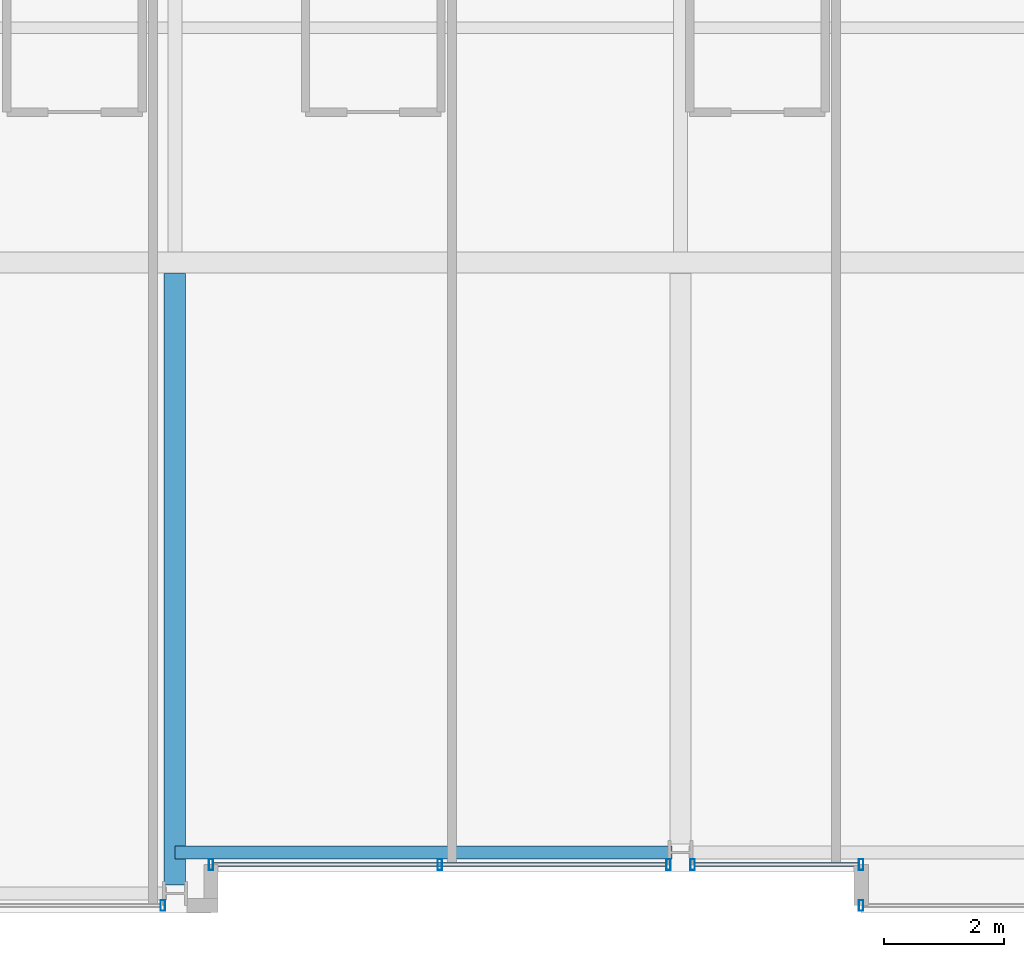
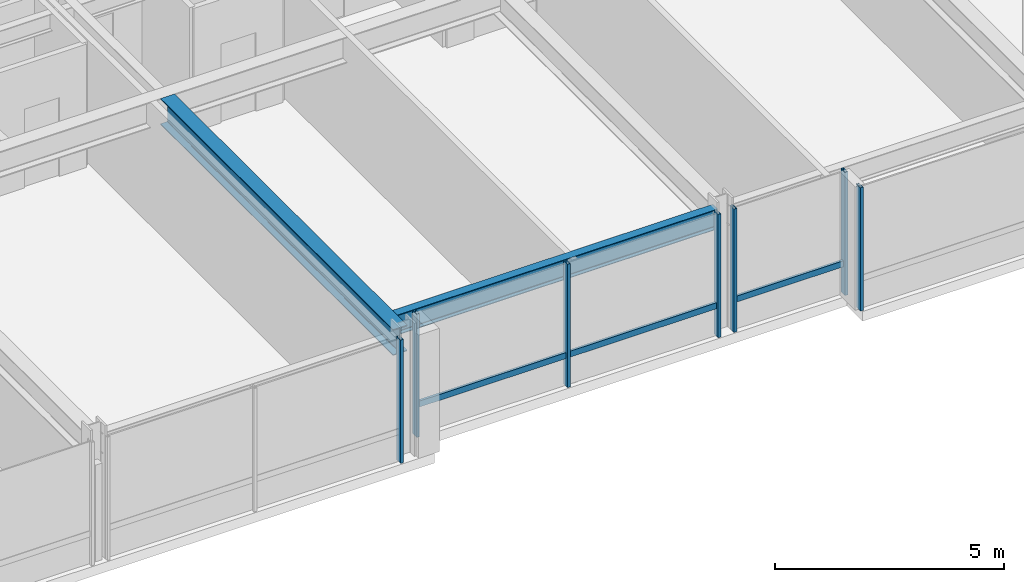
# One storey, part 5 of 33: 9 members, 2 beams, 4 elements without a shape of their own.
"""IFC4 building model written with IfcOpenShell, lengths in metres."""

from ifc_helpers import new_model, si_unit, direction, frame, origin, origin_2d, place, context, subcontext, project, spatial, hollow_rectangle, i_section, extrude, material, layer, layer_set, material_profile, profile_set, type_object, element, aggregate, save


model = new_model("IFC4")

# Units and contexts
model_context = context("Model", 3, precision=1e-05, world=origin(), true_north=direction((0.0, 1.0)))
body_context = subcontext(model_context, "Body", "Model", "MODEL_VIEW")
ifc_project = project(units=[si_unit("LENGTHUNIT", "METRE"), si_unit("AREAUNIT", "SQUARE_METRE"), si_unit("VOLUMEUNIT", "CUBIC_METRE"), si_unit("PLANEANGLEUNIT", "RADIAN"), si_unit("MASSUNIT", "GRAM", prefix="KILO")], contexts=[model_context])

# Site, building, storey
site_placement = place(None, origin())
site = spatial("IfcSite", under=ifc_project, at=site_placement, CompositionType="ELEMENT")
building_placement = place(site_placement, origin())
building = spatial("IfcBuilding", under=site, at=building_placement, Name="Drelvath Grand Hotel", CompositionType="ELEMENT")
storey_placement = place(building_placement, frame((0.0, 0.0, 171.699951171875)))
storey = spatial("IfcBuildingStorey", under=building, at=storey_placement, Name="L44", CompositionType="ELEMENT", Elevation=171.699951171875)

# Curtain wall, member
ifc_material_1 = material(Name="Brushed Pale-Silver Anodised Aluminium Frame", Category="aluminium")
ifc_layer = layer(ifc_material_1, 0.199951171875)
ifc_layer_set = layer_set([ifc_layer], Name="Brushed Pale-Silver Anodised Aluminium Frame")
curtain_wall_type = type_object("IfcCurtainWallType", Name="Stick Curtain Wall CW-04 Brushed Silver Upper-Mid", PredefinedType="NOTDEFINED", material=ifc_layer_set)
curtain_wall_1_placement = place(storey_placement, origin())
curtain_wall_1 = element("IfcCurtainWall", 1, at=curtain_wall_1_placement, inside=storey, type_object=curtain_wall_type, Name="L44 CW-04 Curtain Wall CW04-L44-SM1", PredefinedType="NOTDEFINED")
ifc_material_profile_1 = material_profile(ifc_material_1, hollow_rectangle(XDim=0.06494140625, YDim=0.159912109375, WallThickness=0.00390625, at=origin_2d()), Name="HSS160X65X4")
ifc_profile_set_1 = profile_set([ifc_material_profile_1], Name="Brushed Pale-Silver Anodised Aluminium Frame")
member_type_1 = type_object("IfcMemberType", Name="Curtain Wall Horizontal Transom CW-04 HSS160X65X4", PredefinedType="USERDEFINED", material=ifc_profile_set_1)
member_1_placement = place(storey_placement, frame((-0.239990234375, 0.800048828125, 0.822509765625), z_axis=(-1.0, 0.0, 0.0), x_axis=(0.0, -1.0, 0.0)))
member_1 = element("IfcMember", 2, at=member_1_placement, type_object=member_type_1, Name="CW04-L44-SM1 Sill Transom", ObjectType="TRANSOM", PredefinedType="USERDEFINED", context=body_context, shape_type="SweptSolid", body=[
    extrude(hollow_rectangle(XDim=0.06494140625, YDim=0.159912109375, WallThickness=0.00390625, at=origin_2d()), origin(), (0.0, 0.0, 1.0), 7.52001953125),
])

curtain_wall_2_placement = place(storey_placement, origin())
curtain_wall_2 = element("IfcCurtainWall", 3, at=curtain_wall_2_placement, inside=storey, type_object=curtain_wall_type, Name="L44 CW-04 Curtain Wall CW04-L44-SM2", PredefinedType="NOTDEFINED")
member_2_placement = place(storey_placement, frame((2.9599609375, 0.800048828125, 0.822509765625), z_axis=(-1.0, 0.0, 0.0), x_axis=(0.0, -1.0, 0.0)))
member_2 = element("IfcMember", 4, at=member_2_placement, type_object=member_type_1, Name="CW04-L44-SM2 Sill Transom", ObjectType="TRANSOM", PredefinedType="USERDEFINED", context=body_context, shape_type="SweptSolid", body=[
    extrude(hollow_rectangle(XDim=0.06494140625, YDim=0.159912109375, WallThickness=0.00390625, at=origin_2d()), origin(), (0.0, 0.0, 1.0), 2.719970703125),
])

curtain_wall_3_placement = place(storey_placement, origin())
curtain_wall_3 = element("IfcCurtainWall", 5, at=curtain_wall_3_placement, inside=storey, type_object=curtain_wall_type, Name="L44 CW-04 Curtain Wall CW04-L44-SE1", PredefinedType="NOTDEFINED")
ifc_material_profile_2 = material_profile(ifc_material_1, hollow_rectangle(XDim=0.074951171875, YDim=0.179931640625, WallThickness=0.0048828125, at=origin_2d()), Name="HSS180X75X5")
ifc_profile_set_2 = profile_set([ifc_material_profile_2], Name="Brushed Pale-Silver Anodised Aluminium Frame")
member_type_2 = type_object("IfcMemberType", Name="Curtain Wall Vertical Mullion CW-04 HSS180X75X5", PredefinedType="MULLION", material=ifc_profile_set_2)
member_3_placement = place(storey_placement, frame((3.0, 0.1201171875, 0.0), z_axis=(0.0, 0.0, 1.0), x_axis=(1.0, 0.0, 0.0)))
member_3 = element("IfcMember", 6, at=member_3_placement, type_object=member_type_2, Name="CW04-L44-SE1 Mullion 2", PredefinedType="MULLION", context=body_context, shape_type="SweptSolid", body=[
    extrude(hollow_rectangle(XDim=0.074951171875, YDim=0.179931640625, WallThickness=0.0048828125, at=origin_2d()), origin(), (0.0, 0.0, 1.0), 3.2900390625),
])
aggregate(curtain_wall_3, [member_3])

# Member
member_4_placement = place(storey_placement, frame((-0.2001953125, 0.800048828125, 0.0), z_axis=(0.0, 0.0, 1.0), x_axis=(1.0, 0.0, 0.0)))
member_4 = element("IfcMember", 7, at=member_4_placement, type_object=member_type_2, Name="CW04-L44-SM1 Mullion 1", PredefinedType="MULLION", context=body_context, shape_type="SweptSolid", body=[
    extrude(hollow_rectangle(XDim=0.074951171875, YDim=0.179931640625, WallThickness=0.0048828125, at=origin_2d()), origin(), (0.0, 0.0, 1.0), 3.2900390625),
])

member_5_placement = place(storey_placement, frame((-4.0, 0.800048828125, 0.0), z_axis=(0.0, 0.0, 1.0), x_axis=(1.0, 0.0, 0.0)))
member_5 = element("IfcMember", 8, at=member_5_placement, type_object=member_type_2, Name="CW04-L44-SM1 Mullion 2", PredefinedType="MULLION", context=body_context, shape_type="SweptSolid", body=[
    extrude(hollow_rectangle(XDim=0.074951171875, YDim=0.179931640625, WallThickness=0.0048828125, at=origin_2d()), origin(), (0.0, 0.0, 1.0), 3.2900390625),
])

member_6_placement = place(storey_placement, frame((-7.800048828125, 0.800048828125, 0.0), z_axis=(0.0, 0.0, 1.0), x_axis=(1.0, 0.0, 0.0)))
member_6 = element("IfcMember", 9, at=member_6_placement, type_object=member_type_2, Name="CW04-L44-SM1 Mullion 3", PredefinedType="MULLION", context=body_context, shape_type="SweptSolid", body=[
    extrude(hollow_rectangle(XDim=0.074951171875, YDim=0.179931640625, WallThickness=0.0048828125, at=origin_2d()), origin(), (0.0, 0.0, 1.0), 3.2900390625),
])

aggregate(curtain_wall_1, [member_4, member_5, member_6, member_1])

member_7_placement = place(storey_placement, frame((3.0, 0.800048828125, 0.0), z_axis=(0.0, 0.0, 1.0), x_axis=(1.0, 0.0, 0.0)))
member_7 = element("IfcMember", 10, at=member_7_placement, type_object=member_type_2, Name="CW04-L44-SM2 Mullion 1", PredefinedType="MULLION", context=body_context, shape_type="SweptSolid", body=[
    extrude(hollow_rectangle(XDim=0.074951171875, YDim=0.179931640625, WallThickness=0.0048828125, at=origin_2d()), origin(), (0.0, 0.0, 1.0), 3.2900390625),
])

member_8_placement = place(storey_placement, frame((0.2001953125, 0.800048828125, 0.0), z_axis=(0.0, 0.0, 1.0), x_axis=(1.0, 0.0, 0.0)))
member_8 = element("IfcMember", 11, at=member_8_placement, type_object=member_type_2, Name="CW04-L44-SM2 Mullion 2", PredefinedType="MULLION", context=body_context, shape_type="SweptSolid", body=[
    extrude(hollow_rectangle(XDim=0.074951171875, YDim=0.179931640625, WallThickness=0.0048828125, at=origin_2d()), origin(), (0.0, 0.0, 1.0), 3.2900390625),
])

aggregate(curtain_wall_2, [member_7, member_8, member_2])

# Curtain wall, member
curtain_wall_4_placement = place(storey_placement, origin())
curtain_wall_4 = element("IfcCurtainWall", 12, at=curtain_wall_4_placement, inside=storey, type_object=curtain_wall_type, Name="L44 CW-04 Curtain Wall CW04-L44-SW2", PredefinedType="NOTDEFINED")
member_9_placement = place(storey_placement, frame((-8.60009765625, 0.1201171875, 0.0), z_axis=(0.0, 0.0, 1.0), x_axis=(1.0, 0.0, 0.0)))
member_9 = element("IfcMember", 13, at=member_9_placement, type_object=member_type_2, Name="CW04-L44-SW2 Mullion 1", PredefinedType="MULLION", context=body_context, shape_type="SweptSolid", body=[
    extrude(hollow_rectangle(XDim=0.074951171875, YDim=0.179931640625, WallThickness=0.0048828125, at=origin_2d()), origin(), (0.0, 0.0, 1.0), 3.2900390625),
])
aggregate(curtain_wall_4, [member_9])

# Beams
ifc_material_2 = material(Name="Steel ASTM A992 Gr 50", Category="steel")
ifc_material_profile_3 = material_profile(ifc_material_2, i_section(OverallWidth=0.210205078125, OverallDepth=0.53662109375, WebThickness=0.010986328125, FlangeThickness=0.017333984375, FilletRadius=0.01806640625, at=origin_2d()), Name="W21X68")
ifc_profile_set_3 = profile_set([ifc_material_profile_3], Name="Steel ASTM A992 Gr 50")
beam_type_1 = type_object("IfcBeamType", Name="Perimeter Spandrel Beam W21X68", PredefinedType="SPANDREL", material=ifc_profile_set_3)
beam_1_placement = place(storey_placement, frame((-8.39990234375, 1.0, 3.021728515625), z_axis=(1.0, 0.0, 0.0), x_axis=(0.0, 1.0, 0.0)))
element("IfcBeam", 14, at=beam_1_placement, inside=storey, type_object=beam_type_1, Name="L44 Spandrel South Mid W", PredefinedType="SPANDREL", context=body_context, shape_type="SweptSolid", body=[
    extrude(i_section(OverallWidth=0.210205078125, OverallDepth=0.53662109375, WebThickness=0.010986328125, FlangeThickness=0.017333984375, FilletRadius=0.01806640625, at=origin_2d()), origin(), (0.0, 0.0, 1.0), 8.260009765625),
])
ifc_material_profile_4 = material_profile(ifc_material_2, i_section(OverallWidth=0.354736328125, OverallDepth=0.695556640625, WebThickness=0.015380859375, FlangeThickness=0.025146484375, FilletRadius=0.02392578125, at=origin_2d()), Name="W27X146")
ifc_profile_set_4 = profile_set([ifc_material_profile_4], Name="Steel ASTM A992 Gr 50")
beam_type_2 = type_object("IfcBeamType", Name="Primary Floor Girder W27X146", PredefinedType="BEAM", material=ifc_profile_set_4)
beam_2_placement = place(storey_placement, frame((-8.39990234375, 0.4599609375, 2.9423828125), z_axis=(0.0, 1.0, 0.0), x_axis=(-1.0, 0.0, 0.0)))
element("IfcBeam", 15, at=beam_2_placement, inside=storey, type_object=beam_type_2, Name="L44 South Wing Girder 4", PredefinedType="BEAM", context=body_context, shape_type="SweptSolid", body=[
    extrude(i_section(OverallWidth=0.354736328125, OverallDepth=0.695556640625, WebThickness=0.015380859375, FlangeThickness=0.025146484375, FilletRadius=0.02392578125, at=origin_2d()), origin(), (0.0, 0.0, 1.0), 10.16259765625),
])

save(model, "model.ifc")
